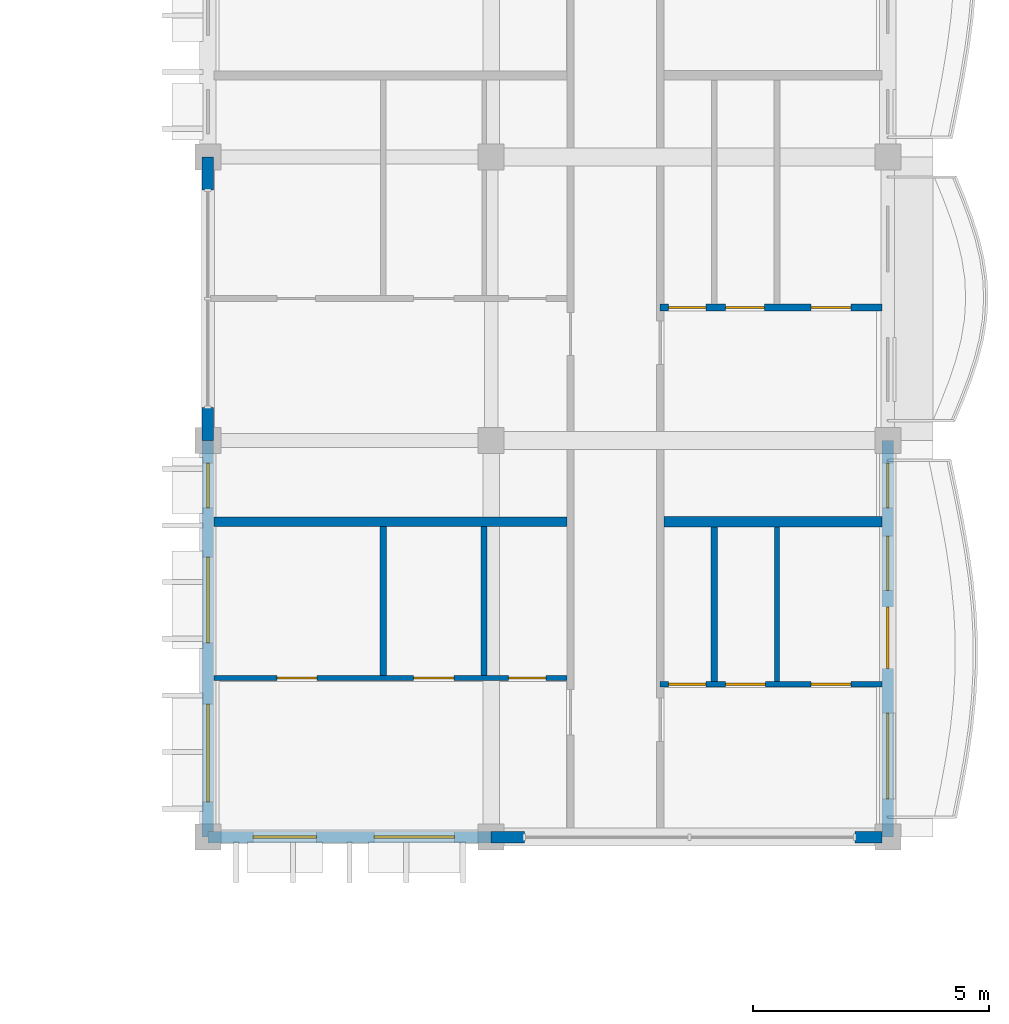
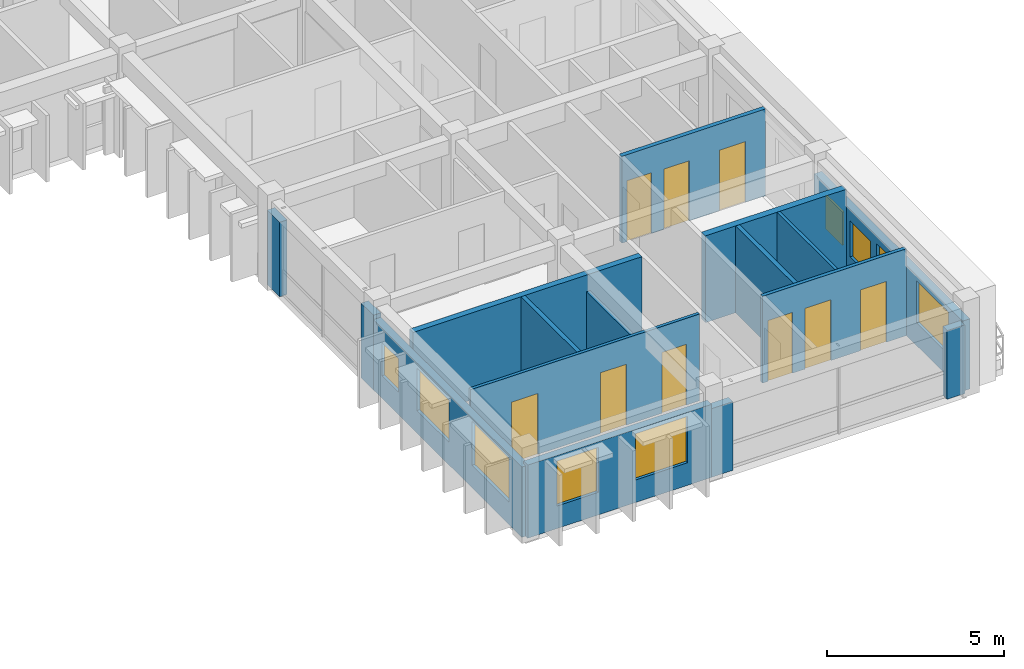
# One storey, part 16 of 31: 16 walls, 10 doors, 8 windows, 18 openings.
"""IFC4 building model written with IfcOpenShell, lengths in metres."""

from ifc_helpers import new_model, si_unit, direction, frame, frame_2d, origin, place, context, subcontext, project, spatial, rectangle, extrude, material, layer, layer_set, type_object, element, fill, save


model = new_model("IFC4")

# Units and contexts
model_context = context("Model", 3, precision=1e-05, world=origin(), true_north=direction((0.0, 1.0)))
body_context = subcontext(model_context, "Body", "Model", "MODEL_VIEW")
ifc_project = project(units=[si_unit("LENGTHUNIT", "METRE"), si_unit("AREAUNIT", "SQUARE_METRE"), si_unit("VOLUMEUNIT", "CUBIC_METRE"), si_unit("PLANEANGLEUNIT", "RADIAN"), si_unit("MASSUNIT", "GRAM", prefix="KILO"), si_unit("THERMODYNAMICTEMPERATUREUNIT", "KELVIN")], contexts=[model_context])

# Site, building, storey
site_placement = place(None, origin())
site = spatial("IfcSite", under=ifc_project, at=site_placement, CompositionType="ELEMENT")
building_placement = place(site_placement, origin())
building = spatial("IfcBuilding", under=site, at=building_placement, Name="Thalorik Housing Commons", CompositionType="ELEMENT")
storey_placement = place(building_placement, frame((0.0, 0.0, 37.800048828125)))
storey = spatial("IfcBuildingStorey", under=building, at=storey_placement, Name="L11", CompositionType="ELEMENT", Elevation=37.800048828125)

# Walls
ifc_material_1 = material(Name="White precast concrete C40/50", Category="concrete")
ifc_layer_1 = layer(ifc_material_1, 0.2451171875, Name="White precast concrete C40/50", Category="concrete")
ifc_layer_set_1 = layer_set([ifc_layer_1], Name="White precast concrete C40/50")
wall_type_1 = type_object("IfcWallType", Name="ARC-WAL-EXT-245", PredefinedType="STANDARD", material=ifc_layer_set_1)
for number, where, z_axis, x_axis, name in (
    (1, (152.39990234375, 100.800048828125, 0.0), (0.0, 0.0, 1.0), (0.0, -1.0, 0.0), "L11 Exterior Wall WAL-PIERL-L11-B-0788"),
    (2, (152.39990234375, 95.5, 0.0), (0.0, 0.0, 1.0), (0.0, -1.0, 0.0), "L11 Exterior Wall WAL-PIERR-L11-B-0788"),
):
    element("IfcWall", number, at=place(storey_placement, frame(where, z_axis=z_axis, x_axis=x_axis)), inside=storey, type_object=wall_type_1, Name=name, PredefinedType="STANDARD", context=body_context, shape_type="SweptSolid", body=[
        extrude(rectangle(XDim=0.699951171875, YDim=0.2451171875, at=frame_2d((0.35009765625, 0.0))), origin(), (0.0, 0.0, 1.0), 2.574951171875),
    ])

# Wall, openings, windows
wall_1_placement = place(storey_placement, frame((152.39990234375, 94.800048828125, 0.0), z_axis=(0.0, 0.0, 1.0), x_axis=(0.0, -1.0, 0.0)))
wall_1 = element("IfcWall", 3, at=wall_1_placement, inside=storey, type_object=wall_type_1, Name="L11 Exterior Wall WAL-EXT-L11-B-0789", PredefinedType="STANDARD", context=body_context, shape_type="SweptSolid", body=[
    extrude(rectangle(XDim=8.400146484375, YDim=0.2451171875, at=frame_2d((4.2001953125, 0.0))), origin(), (0.0, 0.0, 1.0), 2.425048828125),
])
opening_1_placement = place(wall_1_placement, frame((0.47998046875, 0.0, 0.780029296875)))
opening_1 = element("IfcOpeningElement", 4, at=opening_1_placement, cuts=wall_1, Name="Opening W-43", PredefinedType="OPENING", context=body_context, shape_type="SweptSolid", body=[
    extrude(rectangle(XDim=0.949951171875, YDim=1.14990234375, at=frame_2d((0.47509765625, 0.574951171875))), frame((0.0, 0.132568359375, 0.0), z_axis=(0.0, -1.0, 0.0), x_axis=(1.0, 0.0, 0.0)), (0.0, 0.0, 1.0), 0.26513671875),
])
opening_2_placement = place(wall_1_placement, frame((2.465087890625, 0.0, 0.780029296875)))
opening_2 = element("IfcOpeningElement", 5, at=opening_2_placement, cuts=wall_1, Name="Opening W-58", PredefinedType="OPENING", context=body_context, shape_type="SweptSolid", body=[
    extrude(rectangle(XDim=1.820068359375, YDim=1.4599609375, at=frame_2d((0.91015625, 0.72998046875))), frame((0.0, 0.132568359375, 0.0), z_axis=(0.0, -1.0, 0.0), x_axis=(1.0, 0.0, 0.0)), (0.0, 0.0, 1.0), 0.26513671875),
])
opening_3_placement = place(wall_1_placement, frame((5.580078125, 0.0, 0.780029296875)))
opening_3 = element("IfcOpeningElement", 6, at=opening_3_placement, cuts=wall_1, Name="Opening W-63", PredefinedType="OPENING", context=body_context, shape_type="SweptSolid", body=[
    extrude(rectangle(XDim=2.080078125, YDim=1.52001953125, at=frame_2d((1.0400390625, 0.760009765625))), frame((0.0, 0.132568359375, 0.0), z_axis=(0.0, -1.0, 0.0), x_axis=(1.0, 0.0, 0.0)), (0.0, 0.0, 1.0), 0.26513671875),
])
ifc_material_2 = material(Name="Anodised aluminium and solar-control low-E glass", Category="aluminium")
window_type_1 = type_object("IfcWindowType", Name="ARC-WIN-43", PartitioningType="SINGLE_PANEL", PredefinedType="WINDOW", material=ifc_material_2)
window_1_placement = place(opening_1_placement, origin())
window_1 = element("IfcWindow", 7, at=window_1_placement, inside=storey, type_object=window_type_1, Name="L11 Facade Window 1453", OverallHeight=1.14990234375, OverallWidth=0.949951171875, PartitioningType="SINGLE_PANEL", PredefinedType="WINDOW", context=body_context, shape_type="SweptSolid", body=[
    extrude(rectangle(XDim=0.949951171875, YDim=1.14990234375, at=frame_2d((0.47509765625, 0.574951171875))), frame((0.0, 0.030029296875, 0.0), z_axis=(0.0, -1.0, 0.0), x_axis=(1.0, 0.0, 0.0)), (0.0, 0.0, 1.0), 0.06005859375),
])
fill(opening_1, window_1)
window_type_2 = type_object("IfcWindowType", Name="ARC-WIN-58", PartitioningType="DOUBLE_PANEL_VERTICAL", PredefinedType="WINDOW", material=ifc_material_2)
window_2_placement = place(opening_2_placement, origin())
window_2 = element("IfcWindow", 8, at=window_2_placement, inside=storey, type_object=window_type_2, Name="L11 Facade Window 1454", OverallHeight=1.4599609375, OverallWidth=1.820068359375, PartitioningType="DOUBLE_PANEL_VERTICAL", PredefinedType="WINDOW", context=body_context, shape_type="SweptSolid", body=[
    extrude(rectangle(XDim=1.820068359375, YDim=1.4599609375, at=frame_2d((0.91015625, 0.72998046875))), frame((0.0, 0.030029296875, 0.0), z_axis=(0.0, -1.0, 0.0), x_axis=(1.0, 0.0, 0.0)), (0.0, 0.0, 1.0), 0.06005859375),
])
fill(opening_2, window_2)
window_type_3 = type_object("IfcWindowType", Name="ARC-WIN-63", PartitioningType="DOUBLE_PANEL_VERTICAL", PredefinedType="WINDOW", material=ifc_material_2)
window_3_placement = place(opening_3_placement, origin())
window_3 = element("IfcWindow", 9, at=window_3_placement, inside=storey, type_object=window_type_3, Name="L11 Facade Window 1455", OverallHeight=1.52001953125, OverallWidth=2.080078125, PartitioningType="DOUBLE_PANEL_VERTICAL", PredefinedType="WINDOW", context=body_context, shape_type="SweptSolid", body=[
    extrude(rectangle(XDim=2.080078125, YDim=1.52001953125, at=frame_2d((1.0400390625, 0.760009765625))), frame((0.0, 0.030029296875, 0.0), z_axis=(0.0, -1.0, 0.0), x_axis=(1.0, 0.0, 0.0)), (0.0, 0.0, 1.0), 0.06005859375),
])
fill(opening_3, window_3)

wall_2_placement = place(storey_placement, frame((152.39990234375, 86.39990234375, 0.0), z_axis=(0.0, 0.0, 1.0), x_axis=(1.0, 0.0, 0.0)))
wall_2 = element("IfcWall", 10, at=wall_2_placement, inside=storey, type_object=wall_type_1, Name="L11 Exterior Wall WAL-EXT-L11-B-0790", PredefinedType="STANDARD", context=body_context, shape_type="SweptSolid", body=[
    extrude(rectangle(XDim=6.0, YDim=0.2451171875, at=frame_2d((3.0, 0.0))), origin(), (0.0, 0.0, 1.0), 2.52490234375),
])
opening_4_placement = place(wall_2_placement, frame((0.955078125, 0.0, 0.780029296875)))
opening_4 = element("IfcOpeningElement", 11, at=opening_4_placement, cuts=wall_2, Name="Opening W-07", PredefinedType="OPENING", context=body_context, shape_type="SweptSolid", body=[
    extrude(rectangle(XDim=1.35009765625, YDim=1.550048828125, at=frame_2d((0.675048828125, 0.77490234375))), frame((0.0, 0.132568359375, 0.0), z_axis=(0.0, -1.0, 0.0), x_axis=(1.0, 0.0, 0.0)), (0.0, 0.0, 1.0), 0.26513671875),
])
opening_5_placement = place(wall_2_placement, frame((3.52001953125, 0.0, 0.780029296875)))
opening_5 = element("IfcOpeningElement", 12, at=opening_5_placement, cuts=wall_2, Name="Opening W-16", PredefinedType="OPENING", context=body_context, shape_type="SweptSolid", body=[
    extrude(rectangle(XDim=1.699951171875, YDim=1.60009765625, at=frame_2d((0.85009765625, 0.800048828125))), frame((0.0, 0.132568359375, 0.0), z_axis=(0.0, -1.0, 0.0), x_axis=(1.0, 0.0, 0.0)), (0.0, 0.0, 1.0), 0.26513671875),
])
window_type_4 = type_object("IfcWindowType", Name="ARC-WIN-07", PartitioningType="SINGLE_PANEL", PredefinedType="WINDOW", material=ifc_material_2)
window_4_placement = place(opening_4_placement, origin())
window_4 = element("IfcWindow", 13, at=window_4_placement, inside=storey, type_object=window_type_4, Name="L11 Facade Window 1456", OverallHeight=1.550048828125, OverallWidth=1.35009765625, PartitioningType="SINGLE_PANEL", PredefinedType="WINDOW", context=body_context, shape_type="SweptSolid", body=[
    extrude(rectangle(XDim=1.35009765625, YDim=1.550048828125, at=frame_2d((0.675048828125, 0.77490234375))), frame((0.0, 0.030029296875, 0.0), z_axis=(0.0, -1.0, 0.0), x_axis=(1.0, 0.0, 0.0)), (0.0, 0.0, 1.0), 0.06005859375),
])
fill(opening_4, window_4)
window_type_5 = type_object("IfcWindowType", Name="ARC-WIN-16", PartitioningType="DOUBLE_PANEL_VERTICAL", PredefinedType="WINDOW", material=ifc_material_2)
window_5_placement = place(opening_5_placement, origin())
window_5 = element("IfcWindow", 14, at=window_5_placement, inside=storey, type_object=window_type_5, Name="L11 Facade Window 1457", OverallHeight=1.60009765625, OverallWidth=1.699951171875, PartitioningType="DOUBLE_PANEL_VERTICAL", PredefinedType="WINDOW", context=body_context, shape_type="SweptSolid", body=[
    extrude(rectangle(XDim=1.699951171875, YDim=1.60009765625, at=frame_2d((0.85009765625, 0.800048828125))), frame((0.0, 0.030029296875, 0.0), z_axis=(0.0, -1.0, 0.0), x_axis=(1.0, 0.0, 0.0)), (0.0, 0.0, 1.0), 0.06005859375),
])
fill(opening_5, window_5)

# Walls
wall_3_placement = place(storey_placement, frame((158.39990234375, 86.39990234375, 0.0), z_axis=(0.0, 0.0, 1.0), x_axis=(1.0, 0.0, 0.0)))
element("IfcWall", 15, at=wall_3_placement, inside=storey, type_object=wall_type_1, Name="L11 Exterior Wall WAL-PIERL-L11-B-0791", PredefinedType="STANDARD", context=body_context, shape_type="SweptSolid", body=[
    extrude(rectangle(XDim=0.7001953125, YDim=0.2451171875, at=frame_2d((0.35009765625, 0.0))), origin(), (0.0, 0.0, 1.0), 2.375),
])
wall_4_placement = place(storey_placement, frame((166.10009765625, 86.39990234375, 0.0), z_axis=(0.0, 0.0, 1.0), x_axis=(1.0, 0.0, 0.0)))
element("IfcWall", 16, at=wall_4_placement, inside=storey, type_object=wall_type_1, Name="L11 Exterior Wall WAL-PIERR-L11-B-0791", PredefinedType="STANDARD", context=body_context, shape_type="SweptSolid", body=[
    extrude(rectangle(XDim=0.575439453125, YDim=0.2451171875, at=frame_2d((0.28759765625, 0.0))), origin(), (0.0, 0.0, 1.0), 2.375),
])

# Wall, openings, door, windows
wall_5_placement = place(storey_placement, frame((166.800048828125, 86.39990234375, 0.0), z_axis=(0.0, 0.0, 1.0), x_axis=(0.0, 1.0, 0.0)))
wall_5 = element("IfcWall", 17, at=wall_5_placement, inside=storey, type_object=wall_type_1, Name="L11 Exterior Wall WAL-EXT-L11-B-0792", PredefinedType="STANDARD", context=body_context, shape_type="SweptSolid", body=[
    extrude(rectangle(XDim=8.400146484375, YDim=0.2451171875, at=frame_2d((4.2001953125, 0.0))), origin(), (0.0, 0.0, 1.0), 2.425048828125),
])
opening_6_placement = place(wall_5_placement, frame((3.567626953125, 0.0, 0.0)))
opening_6 = element("IfcOpeningElement", 18, at=opening_6_placement, cuts=wall_5, Name="Opening ED-0269", PredefinedType="OPENING", context=body_context, shape_type="SweptSolid", body=[
    extrude(rectangle(XDim=1.300048828125, YDim=2.14990234375, at=frame_2d((0.64990234375, 1.074951171875))), frame((0.0, 0.132568359375, 0.0), z_axis=(0.0, -1.0, 0.0), x_axis=(1.0, 0.0, 0.0)), (0.0, 0.0, 1.0), 0.26513671875),
])
opening_7_placement = place(wall_5_placement, frame((0.8037109375, 0.0, 0.780029296875)))
opening_7 = element("IfcOpeningElement", 19, at=opening_7_placement, cuts=wall_5, Name="Opening W-58", PredefinedType="OPENING", context=body_context, shape_type="SweptSolid", body=[
    extrude(rectangle(XDim=1.820068359375, YDim=1.4599609375, at=frame_2d((0.91015625, 0.72998046875))), frame((0.0, 0.132568359375, 0.0), z_axis=(0.0, -1.0, 0.0), x_axis=(1.0, 0.0, 0.0)), (0.0, 0.0, 1.0), 0.26513671875),
])
opening_8_placement = place(wall_5_placement, frame((5.223876953125, 0.0, 0.780029296875)))
opening_8 = element("IfcOpeningElement", 20, at=opening_8_placement, cuts=wall_5, Name="Opening W-45", PredefinedType="OPENING", context=body_context, shape_type="SweptSolid", body=[
    extrude(rectangle(XDim=1.14990234375, YDim=1.25, at=frame_2d((0.574951171875, 0.625))), frame((0.0, 0.132568359375, 0.0), z_axis=(0.0, -1.0, 0.0), x_axis=(1.0, 0.0, 0.0)), (0.0, 0.0, 1.0), 0.26513671875),
])
opening_9_placement = place(wall_5_placement, frame((6.969970703125, 0.0, 0.780029296875)))
opening_9 = element("IfcOpeningElement", 21, at=opening_9_placement, cuts=wall_5, Name="Opening W-43", PredefinedType="OPENING", context=body_context, shape_type="SweptSolid", body=[
    extrude(rectangle(XDim=0.949951171875, YDim=1.14990234375, at=frame_2d((0.47509765625, 0.574951171875))), frame((0.0, 0.132568359375, 0.0), z_axis=(0.0, -1.0, 0.0), x_axis=(1.0, 0.0, 0.0)), (0.0, 0.0, 1.0), 0.26513671875),
])
ifc_material_3 = material(Name="Anodised aluminium and laminated safety glass", Category="aluminium")
door_type_1 = type_object("IfcDoorType", Name="ARC-DR-BAL-1300", OperationType="NOTDEFINED", PredefinedType="DOOR", material=ifc_material_3)
door_1_placement = place(opening_6_placement, frame((1.300048828125, 0.0, 0.0), z_axis=(0.0, 0.0, 1.0), x_axis=(-1.0, 0.0, 0.0)))
door_1 = element("IfcDoor", 22, at=door_1_placement, inside=storey, type_object=door_type_1, Name="L11 Block B Balcony Glazed Door", OperationType="SINGLE_SWING_RIGHT", OverallHeight=2.14990234375, OverallWidth=1.300048828125, PredefinedType="DOOR", context=body_context, shape_type="SweptSolid", body=[
    extrude(rectangle(XDim=1.300048828125, YDim=2.14990234375, at=frame_2d((0.64990234375, 1.074951171875))), frame((0.0, 0.02490234375, 0.0), z_axis=(0.0, -1.0, 0.0), x_axis=(1.0, 0.0, 0.0)), (0.0, 0.0, 1.0), 0.050048828125),
])
fill(opening_6, door_1)
window_6_placement = place(opening_9_placement, origin())
window_6 = element("IfcWindow", 23, at=window_6_placement, inside=storey, type_object=window_type_1, Name="L11 Facade Window 1460", OverallHeight=1.14990234375, OverallWidth=0.949951171875, PartitioningType="SINGLE_PANEL", PredefinedType="WINDOW", context=body_context, shape_type="SweptSolid", body=[
    extrude(rectangle(XDim=0.949951171875, YDim=1.14990234375, at=frame_2d((0.47509765625, 0.574951171875))), frame((0.0, 0.030029296875, 0.0), z_axis=(0.0, -1.0, 0.0), x_axis=(1.0, 0.0, 0.0)), (0.0, 0.0, 1.0), 0.06005859375),
])
fill(opening_9, window_6)
window_type_6 = type_object("IfcWindowType", Name="ARC-WIN-45", PartitioningType="SINGLE_PANEL", PredefinedType="WINDOW", material=ifc_material_2)
window_7_placement = place(opening_8_placement, origin())
window_7 = element("IfcWindow", 24, at=window_7_placement, inside=storey, type_object=window_type_6, Name="L11 Facade Window 1459", OverallHeight=1.25, OverallWidth=1.14990234375, PartitioningType="SINGLE_PANEL", PredefinedType="WINDOW", context=body_context, shape_type="SweptSolid", body=[
    extrude(rectangle(XDim=1.14990234375, YDim=1.25, at=frame_2d((0.574951171875, 0.625))), frame((0.0, 0.030029296875, 0.0), z_axis=(0.0, -1.0, 0.0), x_axis=(1.0, 0.0, 0.0)), (0.0, 0.0, 1.0), 0.06005859375),
])
fill(opening_8, window_7)
window_8_placement = place(opening_7_placement, origin())
window_8 = element("IfcWindow", 25, at=window_8_placement, inside=storey, type_object=window_type_2, Name="L11 Facade Window 1458", OverallHeight=1.4599609375, OverallWidth=1.820068359375, PartitioningType="DOUBLE_PANEL_VERTICAL", PredefinedType="WINDOW", context=body_context, shape_type="SweptSolid", body=[
    extrude(rectangle(XDim=1.820068359375, YDim=1.4599609375, at=frame_2d((0.91015625, 0.72998046875))), frame((0.0, 0.030029296875, 0.0), z_axis=(0.0, -1.0, 0.0), x_axis=(1.0, 0.0, 0.0)), (0.0, 0.0, 1.0), 0.06005859375),
])
fill(opening_7, window_8)

# Wall, openings, doors
ifc_material_4 = material(Name="Gypsum light stud partition", Category="masonry")
ifc_layer_2 = layer(ifc_material_4, 0.10009765625, Name="Gypsum light stud partition", Category="masonry")
ifc_layer_set_2 = layer_set([ifc_layer_2], Name="Gypsum light stud partition")
wall_type_2 = type_object("IfcWallType", Name="ARC-WAL-PART-100", PredefinedType="PARTITIONING", material=ifc_layer_set_2)
wall_6_placement = place(storey_placement, frame((152.5244140625, 89.77001953125, 0.0), z_axis=(0.0, 0.0, 1.0), x_axis=(1.0, 0.0, 0.0)))
wall_6 = element("IfcWall", 26, at=wall_6_placement, inside=storey, type_object=wall_type_2, Name="L11 Unit 1 Spine Partition", PredefinedType="PARTITIONING", context=body_context, shape_type="SweptSolid", body=[
    extrude(rectangle(XDim=7.478515625, YDim=0.10009765625, at=frame_2d((3.7392578125, 0.0))), origin(), (0.0, 0.0, 1.0), 3.0),
])
opening_10_placement = place(wall_6_placement, frame((1.33935546875, 0.0, 0.0)))
opening_10 = element("IfcOpeningElement", 27, at=opening_10_placement, cuts=wall_6, Name="Opening ID-1502", PredefinedType="OPENING", context=body_context, shape_type="SweptSolid", body=[
    extrude(rectangle(XDim=0.85009765625, YDim=2.10009765625, at=frame_2d((0.425048828125, 1.050048828125))), frame((0.0, 0.06005859375, 0.0), z_axis=(0.0, -1.0, 0.0), x_axis=(1.0, 0.0, 0.0)), (0.0, 0.0, 1.0), 0.1201171875),
])
opening_11_placement = place(wall_6_placement, frame((4.23486328125, 0.0, 0.0)))
opening_11 = element("IfcOpeningElement", 28, at=opening_11_placement, cuts=wall_6, Name="Opening ID-1503", PredefinedType="OPENING", context=body_context, shape_type="SweptSolid", body=[
    extrude(rectangle(XDim=0.85009765625, YDim=2.10009765625, at=frame_2d((0.425048828125, 1.050048828125))), frame((0.0, 0.06005859375, 0.0), z_axis=(0.0, -1.0, 0.0), x_axis=(1.0, 0.0, 0.0)), (0.0, 0.0, 1.0), 0.1201171875),
])
opening_12_placement = place(wall_6_placement, frame((6.2412109375, 0.0, 0.0)))
opening_12 = element("IfcOpeningElement", 29, at=opening_12_placement, cuts=wall_6, Name="Opening ID-1504", PredefinedType="OPENING", context=body_context, shape_type="SweptSolid", body=[
    extrude(rectangle(XDim=0.800048828125, YDim=2.10009765625, at=frame_2d((0.39990234375, 1.050048828125))), frame((0.0, 0.06005859375, 0.0), z_axis=(0.0, -1.0, 0.0), x_axis=(1.0, 0.0, 0.0)), (0.0, 0.0, 1.0), 0.1201171875),
])
ifc_material_5 = material(Name="Moisture-resistant timber", Category="wood")
door_type_2 = type_object("IfcDoorType", Name="ARC-DR-INT-800", OperationType="NOTDEFINED", PredefinedType="DOOR", material=ifc_material_5)
door_2_placement = place(opening_12_placement, origin())
door_2 = element("IfcDoor", 30, at=door_2_placement, inside=storey, type_object=door_type_2, Name="L11 Accessible Bathroom Door", OperationType="SINGLE_SWING_LEFT", OverallHeight=2.10009765625, OverallWidth=0.800048828125, PredefinedType="DOOR", context=body_context, shape_type="SweptSolid", body=[
    extrude(rectangle(XDim=0.800048828125, YDim=2.10009765625, at=frame_2d((0.39990234375, 1.050048828125))), frame((0.0, 0.02490234375, 0.0), z_axis=(0.0, -1.0, 0.0), x_axis=(1.0, 0.0, 0.0)), (0.0, 0.0, 1.0), 0.050048828125),
])
fill(opening_12, door_2)
ifc_material_6 = material(Name="Engineered oak timber", Category="wood")
door_type_3 = type_object("IfcDoorType", Name="ARC-DR-INT-850", OperationType="NOTDEFINED", PredefinedType="DOOR", material=ifc_material_6)
door_3_placement = place(opening_10_placement, origin())
door_3 = element("IfcDoor", 31, at=door_3_placement, inside=storey, type_object=door_type_3, Name="L11 Children's Bedroom Door", OperationType="SINGLE_SWING_LEFT", OverallHeight=2.10009765625, OverallWidth=0.85009765625, PredefinedType="DOOR", context=body_context, shape_type="SweptSolid", body=[
    extrude(rectangle(XDim=0.85009765625, YDim=2.10009765625, at=frame_2d((0.425048828125, 1.050048828125))), frame((0.0, 0.02490234375, 0.0), z_axis=(0.0, -1.0, 0.0), x_axis=(1.0, 0.0, 0.0)), (0.0, 0.0, 1.0), 0.050048828125),
])
fill(opening_10, door_3)
door_4_placement = place(opening_11_placement, origin())
door_4 = element("IfcDoor", 32, at=door_4_placement, inside=storey, type_object=door_type_3, Name="L11 Eat-In Kitchen Door", OperationType="SINGLE_SWING_RIGHT", OverallHeight=2.10009765625, OverallWidth=0.85009765625, PredefinedType="DOOR", context=body_context, shape_type="SweptSolid", body=[
    extrude(rectangle(XDim=0.85009765625, YDim=2.10009765625, at=frame_2d((0.425048828125, 1.050048828125))), frame((0.0, 0.02490234375, 0.0), z_axis=(0.0, -1.0, 0.0), x_axis=(1.0, 0.0, 0.0)), (0.0, 0.0, 1.0), 0.050048828125),
])
fill(opening_11, door_4)

# Wall
wall_7_placement = place(storey_placement, frame((164.455078125, 89.697021484375, 0.0), z_axis=(0.0, 0.0, 1.0), x_axis=(0.0, 1.0, 0.0)))
element("IfcWall", 33, at=wall_7_placement, inside=storey, type_object=wall_type_2, Name="L11 Unit 1B Bedroom Partition", PredefinedType="PARTITIONING", context=body_context, shape_type="SweptSolid", body=[
    extrude(rectangle(XDim=3.27099609375, YDim=0.10009765625, at=frame_2d((1.635498046875, 0.0))), origin(), (0.0, 0.0, 1.0), 3.0),
])

# Wall, openings, doors
ifc_material_7 = material(Name="Gypsum moisture-resistant partition", Category="masonry")
ifc_layer_3 = layer(ifc_material_7, 0.114990234375, Name="Gypsum moisture-resistant partition", Category="masonry")
ifc_layer_set_3 = layer_set([ifc_layer_3], Name="Gypsum moisture-resistant partition")
wall_type_3 = type_object("IfcWallType", Name="ARC-WAL-PART-115", PredefinedType="PARTITIONING", material=ifc_layer_set_3)
wall_8_placement = place(storey_placement, frame((161.97998046875, 89.6376953125, 0.0), z_axis=(0.0, 0.0, 1.0), x_axis=(1.0, 0.0, 0.0)))
wall_8 = element("IfcWall", 34, at=wall_8_placement, inside=storey, type_object=wall_type_3, Name="L11 Unit 1B Spine Partition", PredefinedType="PARTITIONING", context=body_context, shape_type="SweptSolid", body=[
    extrude(rectangle(XDim=4.695556640625, YDim=0.114990234375, at=frame_2d((2.34765625, 0.0))), origin(), (0.0, 0.0, 1.0), 3.0),
])
opening_13_placement = place(wall_8_placement, frame((0.171142578125, 0.0, 0.0)))
opening_13 = element("IfcOpeningElement", 35, at=opening_13_placement, cuts=wall_8, Name="Opening ID-1505", PredefinedType="OPENING", context=body_context, shape_type="SweptSolid", body=[
    extrude(rectangle(XDim=0.800048828125, YDim=2.10009765625, at=frame_2d((0.39990234375, 1.050048828125))), frame((0.0, 0.0673828125, 0.0), z_axis=(0.0, -1.0, 0.0), x_axis=(1.0, 0.0, 0.0)), (0.0, 0.0, 1.0), 0.135009765625),
])
opening_14_placement = place(wall_8_placement, frame((1.3837890625, 0.0, 0.0)))
opening_14 = element("IfcOpeningElement", 36, at=opening_14_placement, cuts=wall_8, Name="Opening ID-1506", PredefinedType="OPENING", context=body_context, shape_type="SweptSolid", body=[
    extrude(rectangle(XDim=0.85009765625, YDim=2.10009765625, at=frame_2d((0.425048828125, 1.050048828125))), frame((0.0, 0.0673828125, 0.0), z_axis=(0.0, -1.0, 0.0), x_axis=(1.0, 0.0, 0.0)), (0.0, 0.0, 1.0), 0.135009765625),
])
opening_15_placement = place(wall_8_placement, frame((3.192626953125, 0.0, 0.0)))
opening_15 = element("IfcOpeningElement", 37, at=opening_15_placement, cuts=wall_8, Name="Opening ID-1507", PredefinedType="OPENING", context=body_context, shape_type="SweptSolid", body=[
    extrude(rectangle(XDim=0.85009765625, YDim=2.10009765625, at=frame_2d((0.425048828125, 1.050048828125))), frame((0.0, 0.0673828125, 0.0), z_axis=(0.0, -1.0, 0.0), x_axis=(1.0, 0.0, 0.0)), (0.0, 0.0, 1.0), 0.135009765625),
])
door_5_placement = place(opening_13_placement, origin())
door_5 = element("IfcDoor", 38, at=door_5_placement, inside=storey, type_object=door_type_2, Name="L11 Flat Bathroom Door", OperationType="SINGLE_SWING_RIGHT", OverallHeight=2.10009765625, OverallWidth=0.800048828125, PredefinedType="DOOR", context=body_context, shape_type="SweptSolid", body=[
    extrude(rectangle(XDim=0.800048828125, YDim=2.10009765625, at=frame_2d((0.39990234375, 1.050048828125))), frame((0.0, 0.02490234375, 0.0), z_axis=(0.0, -1.0, 0.0), x_axis=(1.0, 0.0, 0.0)), (0.0, 0.0, 1.0), 0.050048828125),
])
fill(opening_13, door_5)
door_6_placement = place(opening_14_placement, origin())
door_6 = element("IfcDoor", 39, at=door_6_placement, inside=storey, type_object=door_type_3, Name="L11 Eat-In Kitchen Door", OperationType="SINGLE_SWING_LEFT", OverallHeight=2.10009765625, OverallWidth=0.85009765625, PredefinedType="DOOR", context=body_context, shape_type="SweptSolid", body=[
    extrude(rectangle(XDim=0.85009765625, YDim=2.10009765625, at=frame_2d((0.425048828125, 1.050048828125))), frame((0.0, 0.02490234375, 0.0), z_axis=(0.0, -1.0, 0.0), x_axis=(1.0, 0.0, 0.0)), (0.0, 0.0, 1.0), 0.050048828125),
])
fill(opening_14, door_6)
door_7_placement = place(opening_15_placement, origin())
door_7 = element("IfcDoor", 40, at=door_7_placement, inside=storey, type_object=door_type_3, Name="L11 Master Bedroom Door", OperationType="SINGLE_SWING_RIGHT", OverallHeight=2.10009765625, OverallWidth=0.85009765625, PredefinedType="DOOR", context=body_context, shape_type="SweptSolid", body=[
    extrude(rectangle(XDim=0.85009765625, YDim=2.10009765625, at=frame_2d((0.425048828125, 1.050048828125))), frame((0.0, 0.02490234375, 0.0), z_axis=(0.0, -1.0, 0.0), x_axis=(1.0, 0.0, 0.0)), (0.0, 0.0, 1.0), 0.050048828125),
])
fill(opening_15, door_7)

# Walls
ifc_material_8 = material(Name="Gypsum acoustic stud partition", Category="masonry")
ifc_layer_4 = layer(ifc_material_8, 0.125, Name="Gypsum acoustic stud partition", Category="masonry")
ifc_layer_set_4 = layer_set([ifc_layer_4], Name="Gypsum acoustic stud partition")
wall_type_4 = type_object("IfcWallType", Name="ARC-WAL-PART-125", PredefinedType="PARTITIONING", material=ifc_layer_set_4)
wall_9_placement = place(storey_placement, frame((158.251220703125, 89.822021484375, 0.0), z_axis=(0.0, 0.0, 1.0), x_axis=(0.0, 1.0, 0.0)))
element("IfcWall", 41, at=wall_9_placement, inside=storey, type_object=wall_type_4, Name="L11 Unit 1 Wet Wall", PredefinedType="PARTITIONING", context=body_context, shape_type="SweptSolid", body=[
    extrude(rectangle(XDim=3.156005859375, YDim=0.125, at=frame_2d((1.578125, 0.0))), origin(), (0.0, 0.0, 1.0), 2.425048828125),
])
ifc_material_9 = material(Name="Ceramic masonry partition wall", Category="masonry")
ifc_layer_5 = layer(ifc_material_9, 0.139892578125, Name="Ceramic masonry partition wall", Category="masonry")
ifc_layer_set_5 = layer_set([ifc_layer_5], Name="Ceramic masonry partition wall")
wall_type_5 = type_object("IfcWallType", Name="ARC-WAL-PART-140", PredefinedType="PARTITIONING", material=ifc_layer_set_5)
wall_10_placement = place(storey_placement, frame((156.11767578125, 89.822021484375, 0.0), z_axis=(0.0, 0.0, 1.0), x_axis=(0.0, 1.0, 0.0)))
element("IfcWall", 42, at=wall_10_placement, inside=storey, type_object=wall_type_5, Name="L11 Unit 1 Bedroom Partition", PredefinedType="PARTITIONING", context=body_context, shape_type="SweptSolid", body=[
    extrude(rectangle(XDim=3.156005859375, YDim=0.139892578125, at=frame_2d((1.578125, 0.0))), origin(), (0.0, 0.0, 1.0), 3.0),
])
wall_11_placement = place(storey_placement, frame((163.122314453125, 89.697021484375, 0.0), z_axis=(0.0, 0.0, 1.0), x_axis=(0.0, 1.0, 0.0)))
element("IfcWall", 43, at=wall_11_placement, inside=storey, type_object=wall_type_5, Name="L11 Unit 1B Wet Wall", PredefinedType="PARTITIONING", context=body_context, shape_type="SweptSolid", body=[
    extrude(rectangle(XDim=3.27099609375, YDim=0.139892578125, at=frame_2d((1.635498046875, 0.0))), origin(), (0.0, 0.0, 1.0), 3.0),
])

# Wall, openings, doors
wall_12_placement = place(storey_placement, frame((161.97998046875, 97.615966796875, 0.0), z_axis=(0.0, 0.0, 1.0), x_axis=(1.0, 0.0, 0.0)))
wall_12 = element("IfcWall", 44, at=wall_12_placement, inside=storey, type_object=wall_type_5, Name="L11 Unit 2B Spine Partition", PredefinedType="PARTITIONING", context=body_context, shape_type="SweptSolid", body=[
    extrude(rectangle(XDim=4.695556640625, YDim=0.139892578125, at=frame_2d((2.34765625, 0.0))), origin(), (0.0, 0.0, 1.0), 3.0),
])
opening_16_placement = place(wall_12_placement, frame((0.171142578125, 0.0, 0.0)))
opening_16 = element("IfcOpeningElement", 45, at=opening_16_placement, cuts=wall_12, Name="Opening ID-1511", PredefinedType="OPENING", context=body_context, shape_type="SweptSolid", body=[
    extrude(rectangle(XDim=0.800048828125, YDim=2.10009765625, at=frame_2d((0.39990234375, 1.050048828125))), frame((0.0, 0.080078125, 0.0), z_axis=(0.0, -1.0, 0.0), x_axis=(1.0, 0.0, 0.0)), (0.0, 0.0, 1.0), 0.159912109375),
])
opening_17_placement = place(wall_12_placement, frame((1.3837890625, 0.0, 0.0)))
opening_17 = element("IfcOpeningElement", 46, at=opening_17_placement, cuts=wall_12, Name="Opening ID-1512", PredefinedType="OPENING", context=body_context, shape_type="SweptSolid", body=[
    extrude(rectangle(XDim=0.820068359375, YDim=2.080078125, at=frame_2d((0.41015625, 1.0400390625))), frame((0.0, 0.080078125, 0.0), z_axis=(0.0, -1.0, 0.0), x_axis=(1.0, 0.0, 0.0)), (0.0, 0.0, 1.0), 0.159912109375),
])
opening_18_placement = place(wall_12_placement, frame((3.192626953125, 0.0, 0.0)))
opening_18 = element("IfcOpeningElement", 47, at=opening_18_placement, cuts=wall_12, Name="Opening ID-1513", PredefinedType="OPENING", context=body_context, shape_type="SweptSolid", body=[
    extrude(rectangle(XDim=0.85009765625, YDim=2.10009765625, at=frame_2d((0.425048828125, 1.050048828125))), frame((0.0, 0.080078125, 0.0), z_axis=(0.0, -1.0, 0.0), x_axis=(1.0, 0.0, 0.0)), (0.0, 0.0, 1.0), 0.159912109375),
])
door_8_placement = place(opening_16_placement, origin())
door_8 = element("IfcDoor", 48, at=door_8_placement, inside=storey, type_object=door_type_2, Name="L11 Flat Bathroom Door", OperationType="SINGLE_SWING_RIGHT", OverallHeight=2.10009765625, OverallWidth=0.800048828125, PredefinedType="DOOR", context=body_context, shape_type="SweptSolid", body=[
    extrude(rectangle(XDim=0.800048828125, YDim=2.10009765625, at=frame_2d((0.39990234375, 1.050048828125))), frame((0.0, 0.02490234375, 0.0), z_axis=(0.0, -1.0, 0.0), x_axis=(1.0, 0.0, 0.0)), (0.0, 0.0, 1.0), 0.050048828125),
])
fill(opening_16, door_8)
door_type_4 = type_object("IfcDoorType", Name="ARC-DR-INT-820", OperationType="NOTDEFINED", PredefinedType="DOOR", material=ifc_material_6)
door_9_placement = place(opening_17_placement, origin())
door_9 = element("IfcDoor", 49, at=door_9_placement, inside=storey, type_object=door_type_4, Name="L11 Galley Kitchen Door", OperationType="SINGLE_SWING_LEFT", OverallHeight=2.080078125, OverallWidth=0.820068359375, PredefinedType="DOOR", context=body_context, shape_type="SweptSolid", body=[
    extrude(rectangle(XDim=0.820068359375, YDim=2.080078125, at=frame_2d((0.41015625, 1.0400390625))), frame((0.0, 0.02490234375, 0.0), z_axis=(0.0, -1.0, 0.0), x_axis=(1.0, 0.0, 0.0)), (0.0, 0.0, 1.0), 0.050048828125),
])
fill(opening_17, door_9)
door_10_placement = place(opening_18_placement, origin())
door_10 = element("IfcDoor", 50, at=door_10_placement, inside=storey, type_object=door_type_3, Name="L11 Single Bedroom Door", OperationType="SINGLE_SWING_RIGHT", OverallHeight=2.10009765625, OverallWidth=0.85009765625, PredefinedType="DOOR", context=body_context, shape_type="SweptSolid", body=[
    extrude(rectangle(XDim=0.85009765625, YDim=2.10009765625, at=frame_2d((0.425048828125, 1.050048828125))), frame((0.0, 0.02490234375, 0.0), z_axis=(0.0, -1.0, 0.0), x_axis=(1.0, 0.0, 0.0)), (0.0, 0.0, 1.0), 0.050048828125),
])
fill(opening_18, door_10)

# Walls
ifc_material_10 = material(Name="Precast concrete C40/50 acoustic wall", Category="concrete")
ifc_layer_6 = layer(ifc_material_10, 0.199951171875, Name="Precast concrete C40/50 acoustic wall", Category="concrete")
ifc_layer_set_6 = layer_set([ifc_layer_6], Name="Precast concrete C40/50 acoustic wall")
wall_type_6 = type_object("IfcWallType", Name="ARC-WAL-PARTY-200", PredefinedType="PARTITIONING", material=ifc_layer_set_6)
wall_13_placement = place(storey_placement, frame((152.5244140625, 93.080078125, 0.0), z_axis=(0.0, 0.0, 1.0), x_axis=(1.0, 0.0, 0.0)))
element("IfcWall", 51, at=wall_13_placement, inside=storey, type_object=wall_type_6, Name="L11 Inter-Tenancy Wall 1A", PredefinedType="PARTITIONING", context=body_context, shape_type="SweptSolid", body=[
    extrude(rectangle(XDim=7.478515625, YDim=0.199951171875, at=frame_2d((3.7392578125, 0.0))), origin(), (0.0, 0.0, 1.0), 3.0),
])
ifc_layer_7 = layer(ifc_material_10, 0.219970703125, Name="Precast concrete C40/50 acoustic wall", Category="concrete")
ifc_layer_set_7 = layer_set([ifc_layer_7], Name="Precast concrete C40/50 acoustic wall")
wall_type_7 = type_object("IfcWallType", Name="ARC-WAL-PARTY-220", PredefinedType="PARTITIONING", material=ifc_layer_set_7)
wall_14_placement = place(storey_placement, frame((162.064453125, 93.080078125, 0.0), z_axis=(0.0, 0.0, 1.0), x_axis=(1.0, 0.0, 0.0)))
element("IfcWall", 52, at=wall_14_placement, inside=storey, type_object=wall_type_7, Name="L11 Inter-Tenancy Wall 1B", PredefinedType="PARTITIONING", context=body_context, shape_type="SweptSolid", body=[
    extrude(rectangle(XDim=4.611083984375, YDim=0.219970703125, at=frame_2d((2.3056640625, 0.0))), origin(), (0.0, 0.0, 1.0), 3.0),
])

save(model, "model.ifc")
